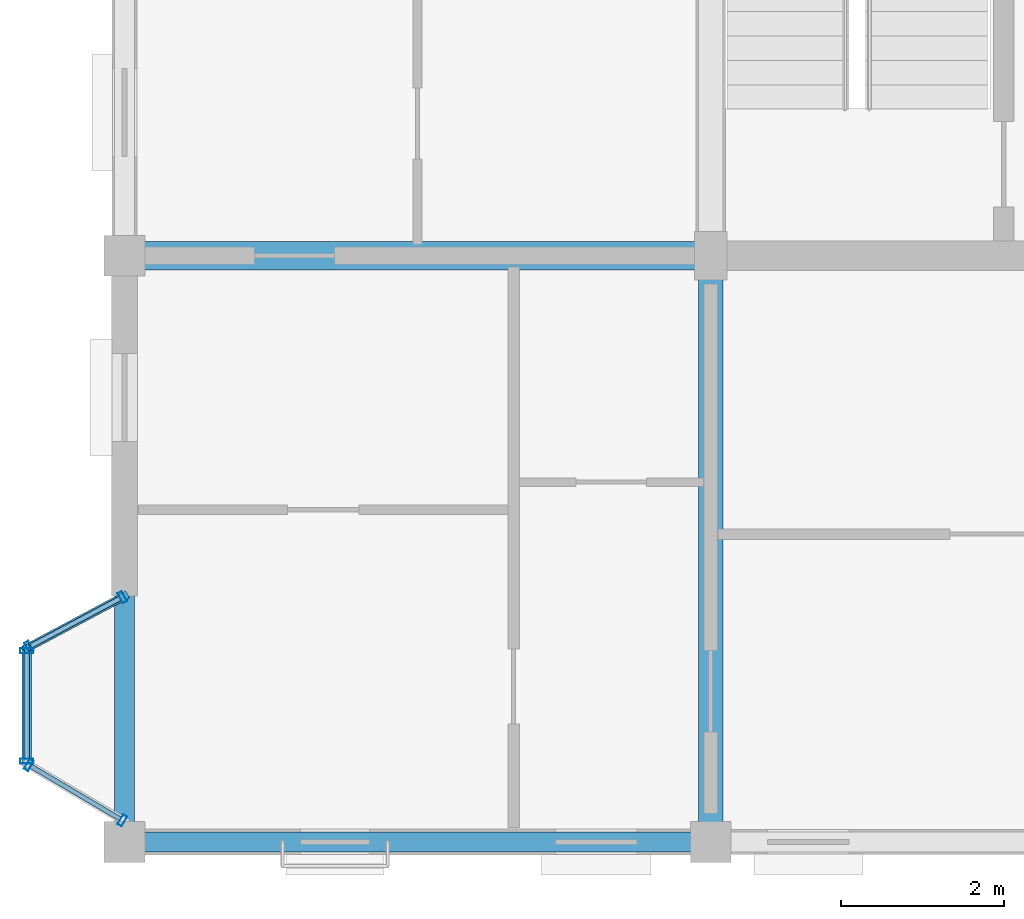
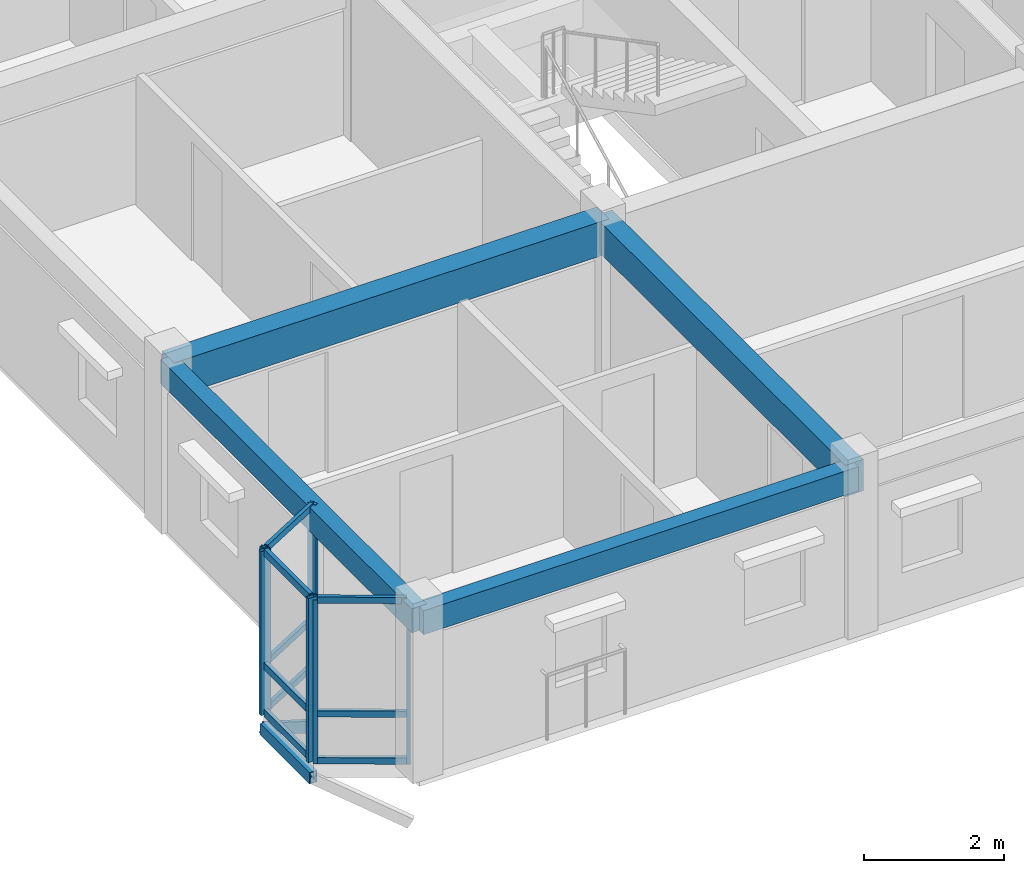
# One storey, part 3 of 64: 17 members, 4 beams, 3 elements without a shape of their own.
"""IFC4 building model written with IfcOpenShell, lengths in metres."""

from ifc_helpers import new_model, si_unit, direction, frame, origin, origin_2d, place, context, subcontext, project, spatial, rectangle, hollow_rectangle, extrude, material, layer, layer_set, material_profile, profile_set, type_object, element, aggregate, save


model = new_model("IFC4")

# Units and contexts
model_context = context("Model", 3, precision=1e-05, world=origin(), true_north=direction((0.0, 1.0)))
body_context = subcontext(model_context, "Body", "Model", "MODEL_VIEW")
ifc_project = project(units=[si_unit("LENGTHUNIT", "METRE"), si_unit("AREAUNIT", "SQUARE_METRE"), si_unit("VOLUMEUNIT", "CUBIC_METRE"), si_unit("PLANEANGLEUNIT", "RADIAN"), si_unit("MASSUNIT", "GRAM", prefix="KILO"), si_unit("THERMODYNAMICTEMPERATUREUNIT", "KELVIN"), si_unit("POWERUNIT", "WATT")], contexts=[model_context])

# Site, building, storey
site_placement = place(None, origin())
site = spatial("IfcSite", under=ifc_project, at=site_placement, CompositionType="ELEMENT")
building_placement = place(site_placement, origin())
building = spatial("IfcBuilding", under=site, at=building_placement, Name="Tavuni Mirador Residences", CompositionType="ELEMENT")
storey_placement = place(building_placement, frame((0.0, 0.0, 26.550048828125)))
storey = spatial("IfcBuildingStorey", under=building, at=storey_placement, Name="L08", CompositionType="ELEMENT", Elevation=26.550048828125)

# Beams
ifc_material_1 = material(Name="Precast concrete C40/50", Category="concrete")
ifc_material_profile_1 = material_profile(ifc_material_1, rectangle(XDim=0.300048828125, YDim=0.550048828125, at=origin_2d()), Name="PC 300x550", Category="concrete")
ifc_profile_set_1 = profile_set([ifc_material_profile_1], Name="Precast concrete C40/50")
beam_type_1 = type_object("IfcBeamType", Name="BT-B550", PredefinedType="BEAM", material=ifc_profile_set_1)
beam_1_placement = place(storey_placement, frame((10.800048828125, 7.199951171875, 2.594970703125), z_axis=(0.0, 1.0, 0.0), x_axis=(-1.0, 0.0, 0.0)))
element("IfcBeam", 1, at=beam_1_placement, inside=storey, type_object=beam_type_1, Name="BMY-BLK-A-L08-01-00", PredefinedType="BEAM", context=body_context, shape_type="SweptSolid", body=[
    extrude(rectangle(XDim=0.300048828125, YDim=0.550048828125, at=origin_2d()), origin(), (0.0, 0.0, 1.0), 7.199951171875),
])
ifc_material_profile_2 = material_profile(ifc_material_1, rectangle(XDim=0.35009765625, YDim=0.60009765625, at=origin_2d()), Name="PC 350x600", Category="concrete")
ifc_profile_set_2 = profile_set([ifc_material_profile_2], Name="Precast concrete C40/50")
beam_type_2 = type_object("IfcBeamType", Name="BT-B600", PredefinedType="BEAM", material=ifc_profile_set_2)
beam_2_placement = place(storey_placement, frame((3.60009765625, 14.39990234375, 2.570068359375), z_axis=(1.0, 0.0, 0.0), x_axis=(0.0, 1.0, 0.0)))
element("IfcBeam", 2, at=beam_2_placement, inside=storey, type_object=beam_type_2, Name="BMX-BLK-A-L08-00-01", PredefinedType="BEAM", context=body_context, shape_type="SweptSolid", body=[
    extrude(rectangle(XDim=0.35009765625, YDim=0.60009765625, at=origin_2d()), origin(), (0.0, 0.0, 1.0), 7.199951171875),
])
ifc_material_profile_3 = material_profile(ifc_material_1, rectangle(XDim=0.25, YDim=0.419921875, at=origin_2d()), Name="PC 250x420", Category="concrete")
ifc_profile_set_3 = profile_set([ifc_material_profile_3], Name="Precast concrete C40/50")
beam_type_3 = type_object("IfcBeamType", Name="BT-SP420", PredefinedType="SPANDREL", material=ifc_profile_set_3)
for number, where, z_axis, x_axis, name in (
    (3, (3.60009765625, 7.199951171875, 2.659912109375), (1.0, 0.0, 0.0), (0.0, 1.0, 0.0), "BMX-BLK-A-L08-00-00"),
    (4, (3.60009765625, 7.199951171875, 2.659912109375), (0.0, 1.0, 0.0), (-1.0, 0.0, 0.0), "BMY-BLK-A-L08-00-00"),
):
    element("IfcBeam", number, at=place(storey_placement, frame(where, z_axis=z_axis, x_axis=x_axis)), inside=storey, type_object=beam_type_3, Name=name, PredefinedType="SPANDREL", context=body_context, shape_type="SweptSolid", body=[
        extrude(rectangle(XDim=0.25, YDim=0.419921875, at=origin_2d()), origin(), (0.0, 0.0, 1.0), 7.199951171875),
    ])

# Curtain wall, members
ifc_material_2 = material(Name="Anodised aluminium", Category="aluminium")
ifc_layer_1 = layer(ifc_material_2, 0.175048828125, Name="Anodised aluminium", Category="aluminium")
ifc_layer_set_1 = layer_set([ifc_layer_1], Name="Anodised aluminium")
curtain_wall_type_1 = type_object("IfcCurtainWallType", Name="CWT-MIR-C", PredefinedType="NOTDEFINED", material=ifc_layer_set_1)
curtain_wall_1_placement = place(storey_placement, origin())
curtain_wall_1 = element("IfcCurtainWall", 5, at=curtain_wall_1_placement, inside=storey, type_object=curtain_wall_type_1, Name="CW-MIR-A-W1-L08-M1", PredefinedType="NOTDEFINED")
ifc_material_profile_4 = material_profile(ifc_material_2, hollow_rectangle(XDim=0.06005859375, YDim=0.139892578125, WallThickness=0.00390625, at=origin_2d()), Name="ALU 60x140x4.0", Category="aluminium")
ifc_profile_set_4 = profile_set([ifc_material_profile_4], Name="Anodised aluminium")
member_type_1 = type_object("IfcMemberType", Name="CWM-140", PredefinedType="MULLION", material=ifc_profile_set_4)
member_1_placement = place(storey_placement, frame((3.573486328125, 10.205810546875, 0.0), z_axis=(0.0, 0.0, 1.0), x_axis=(-0.882352941175, -0.470588235296, 0.0)))
member_1 = element("IfcMember", 6, at=member_1_placement, type_object=member_type_1, Name="CW-03 mullion 1", PredefinedType="MULLION", context=body_context, shape_type="SweptSolid", body=[
    extrude(hollow_rectangle(XDim=0.06005859375, YDim=0.139892578125, WallThickness=0.00390625, at=origin_2d()), origin(), (0.0, 0.0, 1.0), 2.869873046875),
])
member_2_placement = place(storey_placement, frame((2.426513671875, 9.59423828125, 0.0), z_axis=(0.0, 0.0, 1.0), x_axis=(-0.882352941175, -0.470588235296, 0.0)))
member_2 = element("IfcMember", 7, at=member_2_placement, type_object=member_type_1, Name="CW-03 mullion 2", PredefinedType="MULLION", context=body_context, shape_type="SweptSolid", body=[
    extrude(hollow_rectangle(XDim=0.06005859375, YDim=0.139892578125, WallThickness=0.00390625, at=origin_2d()), origin(), (0.0, 0.0, 1.0), 2.869873046875),
])

ifc_layer_2 = layer(ifc_material_2, 0.1650390625, Name="Anodised aluminium", Category="aluminium")
ifc_layer_set_2 = layer_set([ifc_layer_2], Name="Anodised aluminium")
curtain_wall_type_2 = type_object("IfcCurtainWallType", Name="CWT-MIR-A", PredefinedType="NOTDEFINED", material=ifc_layer_set_2)
curtain_wall_2_placement = place(storey_placement, origin())
curtain_wall_2 = element("IfcCurtainWall", 8, at=curtain_wall_2_placement, inside=storey, type_object=curtain_wall_type_2, Name="CW-MIR-A-W1-L08-M2", PredefinedType="NOTDEFINED")
member_3_placement = place(storey_placement, frame((2.42578125, 8.144775390625, 0.0), z_axis=(0.0, 0.0, 1.0), x_axis=(0.860640830284, -0.509212491254, 0.0)))
member_3 = element("IfcMember", 9, at=member_3_placement, type_object=member_type_1, Name="CW-01 mullion 1", PredefinedType="MULLION", context=body_context, shape_type="SweptSolid", body=[
    extrude(hollow_rectangle(XDim=0.06005859375, YDim=0.139892578125, WallThickness=0.00390625, at=origin_2d()), origin(), (0.0, 0.0, 1.0), 2.869873046875),
])
member_4_placement = place(storey_placement, frame((3.57421875, 7.46533203125, 0.0), z_axis=(0.0, 0.0, 1.0), x_axis=(0.860640830284, -0.509212491254, 0.0)))
member_4 = element("IfcMember", 10, at=member_4_placement, type_object=member_type_1, Name="CW-01 mullion 2", PredefinedType="MULLION", context=body_context, shape_type="SweptSolid", body=[
    extrude(hollow_rectangle(XDim=0.06005859375, YDim=0.139892578125, WallThickness=0.00390625, at=origin_2d()), origin(), (0.0, 0.0, 1.0), 2.869873046875),
])

ifc_layer_3 = layer(ifc_material_2, 0.159912109375, Name="Anodised aluminium", Category="aluminium")
ifc_layer_set_3 = layer_set([ifc_layer_3], Name="Anodised aluminium")
curtain_wall_type_3 = type_object("IfcCurtainWallType", Name="CWT-MIR-D", PredefinedType="NOTDEFINED", material=ifc_layer_set_3)
curtain_wall_3_placement = place(storey_placement, origin())
curtain_wall_3 = element("IfcCurtainWall", 11, at=curtain_wall_3_placement, inside=storey, type_object=curtain_wall_type_3, Name="CW-MIR-A-W1-L08-MF", PredefinedType="NOTDEFINED")
ifc_material_profile_5 = material_profile(ifc_material_2, hollow_rectangle(XDim=0.06494140625, YDim=0.1650390625, WallThickness=0.00439453125, at=origin_2d()), Name="ALU 65x165x4.5", Category="aluminium")
ifc_profile_set_5 = profile_set([ifc_material_profile_5], Name="Anodised aluminium")
member_type_2 = type_object("IfcMemberType", Name="CWM-165", PredefinedType="MULLION", material=ifc_profile_set_5)
member_5_placement = place(storey_placement, frame((2.39990234375, 9.547607421875, 0.0), z_axis=(0.0, 0.0, 1.0), x_axis=(0.0, -1.0, 0.0)))
member_5 = element("IfcMember", 12, at=member_5_placement, type_object=member_type_2, Name="CW-04 mullion 1", PredefinedType="MULLION", context=body_context, shape_type="SweptSolid", body=[
    extrude(hollow_rectangle(XDim=0.06494140625, YDim=0.1650390625, WallThickness=0.00439453125, at=origin_2d()), origin(), (0.0, 0.0, 1.0), 2.869873046875),
])
member_6_placement = place(storey_placement, frame((2.39990234375, 8.1923828125, 0.0), z_axis=(0.0, 0.0, 1.0), x_axis=(0.0, -1.0, 0.0)))
member_6 = element("IfcMember", 13, at=member_6_placement, type_object=member_type_2, Name="CW-04 mullion 2", PredefinedType="MULLION", context=body_context, shape_type="SweptSolid", body=[
    extrude(hollow_rectangle(XDim=0.06494140625, YDim=0.1650390625, WallThickness=0.00439453125, at=origin_2d()), origin(), (0.0, 0.0, 1.0), 2.869873046875),
])

# Member
ifc_material_profile_6 = material_profile(ifc_material_2, hollow_rectangle(XDim=0.06005859375, YDim=0.110107421875, WallThickness=0.00390625, at=origin_2d()), Name="ALU 60x110x4.0", Category="aluminium")
ifc_profile_set_6 = profile_set([ifc_material_profile_6], Name="Anodised aluminium")
member_type_3 = type_object("IfcMemberType", Name="CWT-110", PredefinedType="USERDEFINED", material=ifc_profile_set_6)
member_7_placement = place(storey_placement, frame((3.547119140625, 10.191650390625, 0.030029296875), z_axis=(-0.882385637708, -0.470526924168, 0.0), x_axis=(0.470526924168, -0.882385637708, 0.0)))
member_7 = element("IfcMember", 14, at=member_7_placement, type_object=member_type_3, Name="CW-03 transom 1.1", ObjectType="TRANSOM", PredefinedType="USERDEFINED", context=body_context, shape_type="SweptSolid", body=[
    extrude(hollow_rectangle(XDim=0.06005859375, YDim=0.110107421875, WallThickness=0.00390625, at=origin_2d()), origin(), (0.0, 0.0, 1.0), 1.239990234375),
])

member_8_placement = place(storey_placement, frame((3.547119140625, 10.191650390625, 0.849853515625), z_axis=(-0.882385637708, -0.470526924168, 0.0), x_axis=(0.470526924168, -0.882385637708, 0.0)))
member_8 = element("IfcMember", 15, at=member_8_placement, type_object=member_type_3, Name="CW-03 transom 1.2", ObjectType="TRANSOM", PredefinedType="USERDEFINED", context=body_context, shape_type="SweptSolid", body=[
    extrude(hollow_rectangle(XDim=0.06005859375, YDim=0.110107421875, WallThickness=0.00390625, at=origin_2d()), origin(), (0.0, 0.0, 1.0), 1.239990234375),
])

member_9_placement = place(storey_placement, frame((3.547119140625, 10.191650390625, 2.83984375), z_axis=(-0.882385637708, -0.470526924168, 0.0), x_axis=(0.470526924168, -0.882385637708, 0.0)))
member_9 = element("IfcMember", 16, at=member_9_placement, type_object=member_type_3, Name="CW-03 transom 1.3", ObjectType="TRANSOM", PredefinedType="USERDEFINED", context=body_context, shape_type="SweptSolid", body=[
    extrude(hollow_rectangle(XDim=0.06005859375, YDim=0.110107421875, WallThickness=0.00390625, at=origin_2d()), origin(), (0.0, 0.0, 1.0), 1.239990234375),
])

aggregate(curtain_wall_1, [member_1, member_2, member_7, member_8, member_9])

member_10_placement = place(storey_placement, frame((2.45166015625, 8.12939453125, 0.030029296875), z_axis=(0.860621238039, -0.509245603452, 0.0), x_axis=(0.509245603452, 0.860621238039, 0.0)))
member_10 = element("IfcMember", 17, at=member_10_placement, type_object=member_type_3, Name="CW-01 transom 1.1", ObjectType="TRANSOM", PredefinedType="USERDEFINED", context=body_context, shape_type="SweptSolid", body=[
    extrude(hollow_rectangle(XDim=0.06005859375, YDim=0.110107421875, WallThickness=0.00390625, at=origin_2d()), origin(), (0.0, 0.0, 1.0), 1.274169921875),
])

member_11_placement = place(storey_placement, frame((2.45166015625, 8.12939453125, 0.849853515625), z_axis=(0.860621238039, -0.509245603452, 0.0), x_axis=(0.509245603452, 0.860621238039, 0.0)))
member_11 = element("IfcMember", 18, at=member_11_placement, type_object=member_type_3, Name="CW-01 transom 1.2", ObjectType="TRANSOM", PredefinedType="USERDEFINED", context=body_context, shape_type="SweptSolid", body=[
    extrude(hollow_rectangle(XDim=0.06005859375, YDim=0.110107421875, WallThickness=0.00390625, at=origin_2d()), origin(), (0.0, 0.0, 1.0), 1.274169921875),
])

member_12_placement = place(storey_placement, frame((2.45166015625, 8.12939453125, 2.83984375), z_axis=(0.860621238039, -0.509245603452, 0.0), x_axis=(0.509245603452, 0.860621238039, 0.0)))
member_12 = element("IfcMember", 19, at=member_12_placement, type_object=member_type_3, Name="CW-01 transom 1.3", ObjectType="TRANSOM", PredefinedType="USERDEFINED", context=body_context, shape_type="SweptSolid", body=[
    extrude(hollow_rectangle(XDim=0.06005859375, YDim=0.110107421875, WallThickness=0.00390625, at=origin_2d()), origin(), (0.0, 0.0, 1.0), 1.274169921875),
])

aggregate(curtain_wall_2, [member_3, member_4, member_10, member_11, member_12])

ifc_material_profile_7 = material_profile(ifc_material_2, hollow_rectangle(XDim=0.06494140625, YDim=0.125, WallThickness=0.00439453125, at=origin_2d()), Name="ALU 65x125x4.5", Category="aluminium")
ifc_profile_set_7 = profile_set([ifc_material_profile_7], Name="Anodised aluminium")
member_type_4 = type_object("IfcMemberType", Name="CWT-125", PredefinedType="USERDEFINED", material=ifc_profile_set_7)
member_13_placement = place(storey_placement, frame((2.39990234375, 9.514892578125, 0.032470703125), z_axis=(0.0, -1.0, 0.0), x_axis=(1.0, 0.0, 0.0)))
member_13 = element("IfcMember", 20, at=member_13_placement, type_object=member_type_4, Name="CW-04 transom 1.1", ObjectType="TRANSOM", PredefinedType="USERDEFINED", context=body_context, shape_type="SweptSolid", body=[
    extrude(hollow_rectangle(XDim=0.06494140625, YDim=0.125, WallThickness=0.00439453125, at=origin_2d()), origin(), (0.0, 0.0, 1.0), 1.289794921875),
])

member_14_placement = place(storey_placement, frame((2.39990234375, 9.514892578125, 0.849853515625), z_axis=(0.0, -1.0, 0.0), x_axis=(1.0, 0.0, 0.0)))
member_14 = element("IfcMember", 21, at=member_14_placement, type_object=member_type_4, Name="CW-04 transom 1.2", ObjectType="TRANSOM", PredefinedType="USERDEFINED", context=body_context, shape_type="SweptSolid", body=[
    extrude(hollow_rectangle(XDim=0.06494140625, YDim=0.125, WallThickness=0.00439453125, at=origin_2d()), origin(), (0.0, 0.0, 1.0), 1.289794921875),
])

member_15_placement = place(storey_placement, frame((2.39990234375, 9.514892578125, 2.83740234375), z_axis=(0.0, -1.0, 0.0), x_axis=(1.0, 0.0, 0.0)))
member_15 = element("IfcMember", 22, at=member_15_placement, type_object=member_type_4, Name="CW-04 transom 1.3", ObjectType="TRANSOM", PredefinedType="USERDEFINED", context=body_context, shape_type="SweptSolid", body=[
    extrude(hollow_rectangle(XDim=0.06494140625, YDim=0.125, WallThickness=0.00439453125, at=origin_2d()), origin(), (0.0, 0.0, 1.0), 1.289794921875),
])

aggregate(curtain_wall_3, [member_5, member_6, member_13, member_14, member_15])

# Members
ifc_material_3 = material(Name="Structural steel S355", Category="steel")
ifc_material_profile_8 = material_profile(ifc_material_3, hollow_rectangle(XDim=0.10009765625, YDim=0.179931640625, WallThickness=0.008056640625, at=origin_2d()), Name="RHS 180x100x8.0", Category="steel")
ifc_profile_set_8 = profile_set([ifc_material_profile_8], Name="Structural steel S355")
member_type_5 = type_object("IfcMemberType", Name="MT-BR-RHS180", PredefinedType="BRACE", material=ifc_profile_set_8)
member_16_placement = place(storey_placement, frame((3.60009765625, 10.219970703125, -1.050048828125), z_axis=(-0.767896193149, -0.409409260017, 0.492665702439), x_axis=(0.470467115558, -0.882417527692, 0.0)))
element("IfcMember", 23, at=member_16_placement, inside=storey, type_object=member_type_5, Name="MBRK-MIR-A-W1-L08-2", PredefinedType="BRACE", context=body_context, shape_type="SweptSolid", body=[
    extrude(hollow_rectangle(XDim=0.10009765625, YDim=0.179931640625, WallThickness=0.008056640625, at=origin_2d()), origin(), (0.0, 0.0, 1.0), 1.56298828125),
])
ifc_material_profile_9 = material_profile(ifc_material_3, hollow_rectangle(XDim=0.1201171875, YDim=0.199951171875, WallThickness=0.010009765625, at=origin_2d()), Name="RHS 200x120x10.0", Category="steel")
ifc_profile_set_9 = profile_set([ifc_material_profile_9], Name="Structural steel S355")
member_type_6 = type_object("IfcMemberType", Name="MT-ST-RHS200", PredefinedType="STRUT", material=ifc_profile_set_9)
member_17_placement = place(storey_placement, frame((2.39990234375, 8.159912109375, -0.280029296875), z_axis=(0.0, 1.0, 0.0), x_axis=(-1.0, 0.0, 0.0)))
element("IfcMember", 24, at=member_17_placement, inside=storey, type_object=member_type_6, Name="MRIM-MIR-A-W1-L08", PredefinedType="STRUT", context=body_context, shape_type="SweptSolid", body=[
    extrude(hollow_rectangle(XDim=0.1201171875, YDim=0.199951171875, WallThickness=0.010009765625, at=origin_2d()), origin(), (0.0, 0.0, 1.0), 1.420166015625),
])

save(model, "model.ifc")
